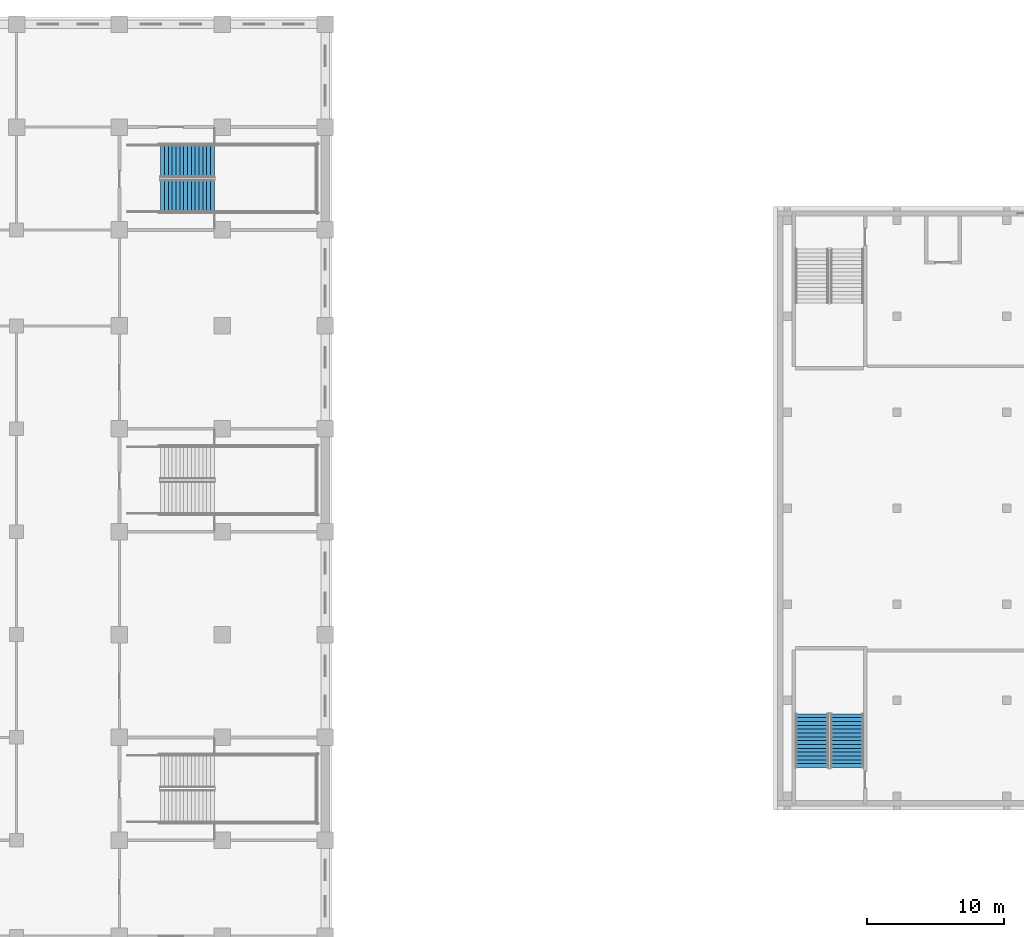
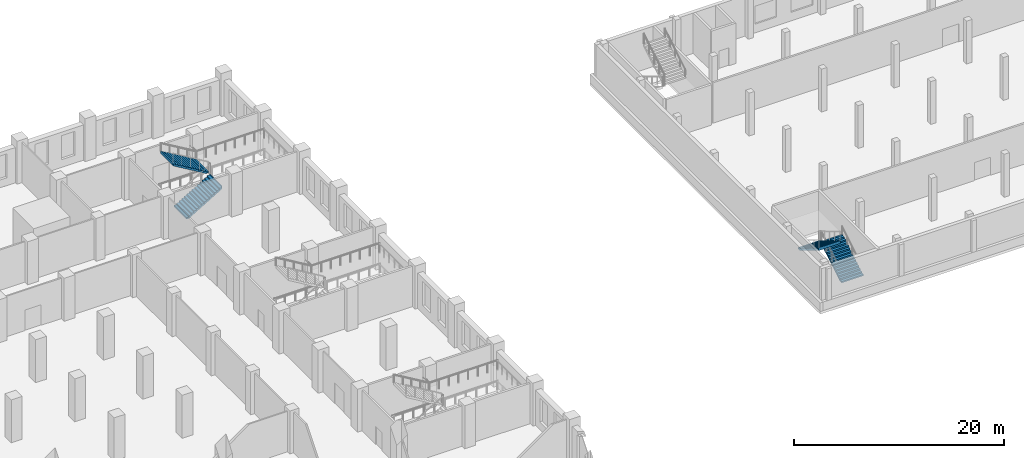
# One storey, part 18 of 32: 4 stair flights, 2 elements without a shape of their own.
"""IFC4 building model written with IfcOpenShell, lengths in metres."""

from ifc_helpers import new_model, si_unit, direction, frame, origin, place, context, subcontext, project, spatial, polyline, outline, extrude, material, type_object, element, aggregate, save


model = new_model("IFC4")

# Units and contexts
model_context = context("Model", 3, precision=1e-05, world=origin(), true_north=direction((0.0, 1.0)))
body_context = subcontext(model_context, "Body", "Model", "MODEL_VIEW")
ifc_project = project(units=[si_unit("LENGTHUNIT", "METRE"), si_unit("AREAUNIT", "SQUARE_METRE"), si_unit("VOLUMEUNIT", "CUBIC_METRE"), si_unit("PLANEANGLEUNIT", "RADIAN"), si_unit("MASSUNIT", "GRAM", prefix="KILO")], contexts=[model_context])

# Site, building, storey
site_placement = place(None, origin())
site = spatial("IfcSite", under=ifc_project, at=site_placement, CompositionType="ELEMENT")
building_placement = place(site_placement, origin())
building = spatial("IfcBuilding", under=site, at=building_placement, Name="Tamorin Gate", CompositionType="ELEMENT")
storey_placement = place(building_placement, frame((0.0, 0.0, 13.5)))
storey = spatial("IfcBuildingStorey", under=building, at=storey_placement, Name="L02", CompositionType="ELEMENT", Elevation=13.5)

# Stair, stair flights
ifc_material_1 = material(Name="Concrete C40/50", Category="concrete")
stair_type_1 = type_object("IfcStairType", Name="Museum exit stair 2400 C40/50", PredefinedType="HALF_TURN_STAIR", material=ifc_material_1)
stair_1_placement = place(storey_placement, origin())
stair_1 = element("IfcStair", 1, at=stair_1_placement, inside=storey, type_object=stair_type_1, Name="L02 PS8", PredefinedType="HALF_TURN_STAIR")
stair_flight_type_1 = type_object("IfcStairFlightType", Name="Museum exit stair flight 2400 C40/50", PredefinedType="STRAIGHT", material=ifc_material_1)
stair_flight_1_placement = place(storey_placement, frame((150.050048828125, 57.800048828125, 0.0), z_axis=(0.0, 0.0, 1.0), x_axis=(0.0, 1.0, 0.0)))
stair_flight_1 = element("IfcStairFlight", 2, at=stair_flight_1_placement, type_object=stair_flight_type_1, Name="PS8 flight 1", NumberOfRisers=15, NumberOfTreads=14, PredefinedType="STRAIGHT", RiserHeight=0.166666667, TreadLength=0.28, context=body_context, shape_type="SweptSolid", body=[
    extrude(outline(polyline([(-0.00048828125, 0.0), (-0.00048828125, 0.001708984375), (-0.00048828125, 0.00341796875), (-0.00048828125, 0.0048828125), (-0.00048828125, 0.006591796875), (-0.00048828125, 0.00830078125), (-0.00048828125, 0.010009765625), (-0.00048828125, 0.011474609375), (-0.00048828125, 0.01318359375), (-0.00048828125, 0.014892578125), (-0.00048828125, 0.0166015625), (-0.00048828125, 0.01806640625), (-0.00048828125, 0.019775390625), (-0.00048828125, 0.021484375), (-0.00048828125, 0.023193359375), (-0.00048828125, 0.024658203125), (-0.00048828125, 0.0263671875), (-0.00048828125, 0.028076171875), (-0.00048828125, 0.02978515625), (-0.00048828125, 0.03125), (-0.00048828125, 0.032958984375), (-0.00048828125, 0.03466796875), (-0.00048828125, 0.036376953125), (-0.00048828125, 0.037841796875), (-0.00048828125, 0.03955078125), (-0.00048828125, 0.041259765625), (-0.00048828125, 0.04296875), (-0.00048828125, 0.04443359375), (-0.00048828125, 0.046142578125), (-0.00048828125, 0.0478515625), (-0.00048828125, 0.049560546875), (-0.00048828125, 0.05126953125), (-0.00048828125, 0.052734375), (-0.00048828125, 0.054443359375), (-0.00048828125, 0.05615234375), (-0.00048828125, 0.057861328125), (-0.00048828125, 0.059326171875), (-0.00048828125, 0.06103515625), (-0.00048828125, 0.062744140625), (-0.00048828125, 0.064453125), (-0.00048828125, 0.06591796875), (-0.00048828125, 0.067626953125), (-0.00048828125, 0.0693359375), (-0.00048828125, 0.071044921875), (-0.00048828125, 0.072509765625), (-0.00048828125, 0.07421875), (-0.00048828125, 0.075927734375), (-0.00048828125, 0.07763671875), (-0.00048828125, 0.0791015625), (-0.00048828125, 0.080810546875), (-0.00048828125, 0.08251953125), (-0.00048828125, 0.084228515625), (-0.00048828125, 0.085693359375), (-0.00048828125, 0.08740234375), (-0.00048828125, 0.089111328125), (-0.00048828125, 0.0908203125), (-0.00048828125, 0.092529296875), (-0.00048828125, 0.093994140625), (-0.00048828125, 0.095703125), (-0.00048828125, 0.097412109375), (-0.00048828125, 0.09912109375), (-0.00048828125, 0.1005859375), (-0.00048828125, 0.102294921875), (-0.00048828125, 0.10400390625), (-0.00048828125, 0.105712890625), (-0.00048828125, 0.107177734375), (-0.00048828125, 0.10888671875), (-0.00048828125, 0.110595703125), (-0.00048828125, 0.1123046875), (-0.00048828125, 0.11376953125), (-0.00048828125, 0.115478515625), (-0.00048828125, 0.1171875), (-0.00048828125, 0.118896484375), (-0.00048828125, 0.120361328125), (-0.00048828125, 0.1220703125), (-0.00048828125, 0.123779296875), (-0.00048828125, 0.12548828125), (-0.00048828125, 0.126953125), (-0.00048828125, 0.128662109375), (-0.00048828125, 0.13037109375), (-0.00048828125, 0.132080078125), (-0.00048828125, 0.133544921875), (-0.00048828125, 0.13525390625), (-0.00048828125, 0.136962890625), (-0.00048828125, 0.138671875), (-0.00048828125, 0.140380859375), (-0.00048828125, 0.141845703125), (-0.00048828125, 0.1435546875), (-0.00048828125, 0.145263671875), (-0.00048828125, 0.14697265625), (-0.00048828125, 0.1484375), (-0.00048828125, 0.150146484375), (-0.00048828125, 0.15185546875), (-0.00048828125, 0.153564453125), (-0.00048828125, 0.155029296875), (-0.00048828125, 0.15673828125), (-0.00048828125, 0.158447265625), (-0.00048828125, 0.16015625), (-0.00048828125, 0.16162109375), (-0.00048828125, 0.163330078125), (-0.00048828125, 0.1650390625), (-0.00048828125, 0.166748046875), (0.280029296875, 0.166748046875), (0.280029296875, 0.333251953125), (0.56005859375, 0.333251953125), (0.56005859375, 0.5), (0.840087890625, 0.5), (0.840087890625, 0.666748046875), (1.1201171875, 0.666748046875), (1.1201171875, 0.833251953125), (1.39990234375, 0.833251953125), (1.39990234375, 1.0), (1.679931640625, 1.0), (1.679931640625, 1.166748046875), (1.9599609375, 1.166748046875), (1.9599609375, 1.333251953125), (2.239990234375, 1.333251953125), (2.239990234375, 1.5), (2.52001953125, 1.5), (2.52001953125, 1.666748046875), (2.800048828125, 1.666748046875), (2.800048828125, 1.833251953125), (3.080078125, 1.833251953125), (3.080078125, 2.0), (3.360107421875, 2.0), (3.360107421875, 2.166748046875), (3.639892578125, 2.166748046875), (3.639892578125, 2.333251953125), (3.919921875, 2.333251953125), (3.919921875, 2.5), (3.92041015625, 2.5), (3.92041015625, 2.49658203125), (3.92041015625, 2.4931640625), (3.92041015625, 2.48974609375), (3.92041015625, 2.486572265625), (3.92041015625, 2.483154296875), (3.92041015625, 2.479736328125), (3.92041015625, 2.476318359375), (3.92041015625, 2.472900390625), (3.92041015625, 2.469482421875), (3.92041015625, 2.46630859375), (3.92041015625, 2.462890625), (3.92041015625, 2.45947265625), (3.92041015625, 2.4560546875), (3.92041015625, 2.45263671875), (3.92041015625, 2.44921875), (3.92041015625, 2.446044921875), (3.92041015625, 2.442626953125), (3.92041015625, 2.439208984375), (3.92041015625, 2.435791015625), (3.92041015625, 2.432373046875), (3.92041015625, 2.428955078125), (3.92041015625, 2.42578125), (3.92041015625, 2.42236328125), (3.92041015625, 2.4189453125), (3.92041015625, 2.41552734375), (3.92041015625, 2.412109375), (3.92041015625, 2.40869140625), (3.92041015625, 2.405517578125), (3.92041015625, 2.402099609375), (3.92041015625, 2.398681640625), (3.92041015625, 2.395263671875), (3.92041015625, 2.391845703125), (3.92041015625, 2.388427734375), (3.92041015625, 2.38525390625), (3.92041015625, 2.3818359375), (3.92041015625, 2.37841796875), (3.92041015625, 2.375), (3.92041015625, 2.37158203125), (3.92041015625, 2.3681640625), (3.92041015625, 2.364990234375), (3.92041015625, 2.361572265625), (3.92041015625, 2.358154296875), (3.92041015625, 2.354736328125), (3.92041015625, 2.351318359375), (3.92041015625, 2.347900390625), (3.92041015625, 2.3447265625), (3.92041015625, 2.34130859375), (3.92041015625, 2.337890625), (3.92041015625, 2.33447265625), (3.92041015625, 2.3310546875), (3.92041015625, 2.32763671875), (3.92041015625, 2.324462890625), (3.92041015625, 2.321044921875), (3.92041015625, 2.317626953125), (3.92041015625, 2.314208984375), (3.92041015625, 2.310791015625), (3.92041015625, 2.307373046875), (3.92041015625, 2.30419921875), (3.92041015625, 2.30078125), (3.92041015625, 2.29736328125), (3.92041015625, 2.2939453125), (3.92041015625, 2.29052734375), (3.92041015625, 2.287109375), (3.92041015625, 2.283935546875), (3.92041015625, 2.280517578125), (3.92041015625, 2.277099609375), (3.92041015625, 2.273681640625), (3.92041015625, 2.270263671875), (3.92041015625, 2.266845703125), (3.92041015625, 2.263671875), (3.92041015625, 2.26025390625), (3.92041015625, 2.2568359375), (3.92041015625, 2.25341796875), (3.92041015625, 2.25), (3.92041015625, 2.24658203125), (3.92041015625, 2.243408203125), (3.92041015625, 2.239990234375), (3.92041015625, 2.236572265625), (3.92041015625, 2.233154296875), (3.92041015625, 2.229736328125), (3.92041015625, 2.226318359375), (3.92041015625, 2.22314453125), (3.92041015625, 2.2197265625), (3.92041015625, 2.21630859375), (3.92041015625, 2.212890625), (3.92041015625, 2.20947265625), (3.92041015625, 2.2060546875), (3.92041015625, 2.202880859375), (3.92041015625, 2.199462890625), (3.92041015625, 2.196044921875), (3.92041015625, 2.192626953125), (3.92041015625, 2.189208984375), (3.92041015625, 2.185791015625), (3.92041015625, 2.1826171875), (3.92041015625, 2.17919921875), (3.92041015625, 2.17578125), (3.92041015625, 2.17236328125), (3.92041015625, 2.1689453125), (3.92041015625, 2.16552734375), (3.92041015625, 2.162353515625), (3.92041015625, 2.158935546875), (3.919921875, 2.158935546875), (0.29296875, 0.0), (-0.00048828125, 0.0)])), frame((0.0, 1.199951171875, 0.0), z_axis=(0.0, -1.0, 0.0), x_axis=(1.0, 0.0, 0.0)), (0.0, 0.0, 1.0), 2.39990234375),
])
stair_flight_2_placement = place(storey_placement, frame((147.5, 61.719970703125, 2.5), z_axis=(0.0, 0.0, 1.0), x_axis=(0.0, -1.0, 0.0)))
stair_flight_2 = element("IfcStairFlight", 3, at=stair_flight_2_placement, type_object=stair_flight_type_1, Name="PS8 flight 2", NumberOfRisers=15, NumberOfTreads=14, PredefinedType="STRAIGHT", RiserHeight=0.166666667, TreadLength=0.28, context=body_context, shape_type="SweptSolid", body=[
    extrude(outline(polyline([(-0.00048828125, 0.0), (-0.00048828125, 0.001708984375), (-0.00048828125, 0.00341796875), (-0.00048828125, 0.0048828125), (-0.00048828125, 0.006591796875), (-0.00048828125, 0.00830078125), (-0.00048828125, 0.010009765625), (-0.00048828125, 0.011474609375), (-0.00048828125, 0.01318359375), (-0.00048828125, 0.014892578125), (-0.00048828125, 0.0166015625), (-0.00048828125, 0.01806640625), (-0.00048828125, 0.019775390625), (-0.00048828125, 0.021484375), (-0.00048828125, 0.023193359375), (-0.00048828125, 0.024658203125), (-0.00048828125, 0.0263671875), (-0.00048828125, 0.028076171875), (-0.00048828125, 0.02978515625), (-0.00048828125, 0.03125), (-0.00048828125, 0.032958984375), (-0.00048828125, 0.03466796875), (-0.00048828125, 0.036376953125), (-0.00048828125, 0.037841796875), (-0.00048828125, 0.03955078125), (-0.00048828125, 0.041259765625), (-0.00048828125, 0.04296875), (-0.00048828125, 0.04443359375), (-0.00048828125, 0.046142578125), (-0.00048828125, 0.0478515625), (-0.00048828125, 0.049560546875), (-0.00048828125, 0.05126953125), (-0.00048828125, 0.052734375), (-0.00048828125, 0.054443359375), (-0.00048828125, 0.05615234375), (-0.00048828125, 0.057861328125), (-0.00048828125, 0.059326171875), (-0.00048828125, 0.06103515625), (-0.00048828125, 0.062744140625), (-0.00048828125, 0.064453125), (-0.00048828125, 0.06591796875), (-0.00048828125, 0.067626953125), (-0.00048828125, 0.0693359375), (-0.00048828125, 0.071044921875), (-0.00048828125, 0.072509765625), (-0.00048828125, 0.07421875), (-0.00048828125, 0.075927734375), (-0.00048828125, 0.07763671875), (-0.00048828125, 0.0791015625), (-0.00048828125, 0.080810546875), (-0.00048828125, 0.08251953125), (-0.00048828125, 0.084228515625), (-0.00048828125, 0.085693359375), (-0.00048828125, 0.08740234375), (-0.00048828125, 0.089111328125), (-0.00048828125, 0.0908203125), (-0.00048828125, 0.092529296875), (-0.00048828125, 0.093994140625), (-0.00048828125, 0.095703125), (-0.00048828125, 0.097412109375), (-0.00048828125, 0.09912109375), (-0.00048828125, 0.1005859375), (-0.00048828125, 0.102294921875), (-0.00048828125, 0.10400390625), (-0.00048828125, 0.105712890625), (-0.00048828125, 0.107177734375), (-0.00048828125, 0.10888671875), (-0.00048828125, 0.110595703125), (-0.00048828125, 0.1123046875), (-0.00048828125, 0.11376953125), (-0.00048828125, 0.115478515625), (-0.00048828125, 0.1171875), (-0.00048828125, 0.118896484375), (-0.00048828125, 0.120361328125), (-0.00048828125, 0.1220703125), (-0.00048828125, 0.123779296875), (-0.00048828125, 0.12548828125), (-0.00048828125, 0.126953125), (-0.00048828125, 0.128662109375), (-0.00048828125, 0.13037109375), (-0.00048828125, 0.132080078125), (-0.00048828125, 0.133544921875), (-0.00048828125, 0.13525390625), (-0.00048828125, 0.136962890625), (-0.00048828125, 0.138671875), (-0.00048828125, 0.140380859375), (-0.00048828125, 0.141845703125), (-0.00048828125, 0.1435546875), (-0.00048828125, 0.145263671875), (-0.00048828125, 0.14697265625), (-0.00048828125, 0.1484375), (-0.00048828125, 0.150146484375), (-0.00048828125, 0.15185546875), (-0.00048828125, 0.153564453125), (-0.00048828125, 0.155029296875), (-0.00048828125, 0.15673828125), (-0.00048828125, 0.158447265625), (-0.00048828125, 0.16015625), (-0.00048828125, 0.16162109375), (-0.00048828125, 0.163330078125), (-0.00048828125, 0.1650390625), (-0.00048828125, 0.166748046875), (0.280029296875, 0.166748046875), (0.280029296875, 0.333251953125), (0.56005859375, 0.333251953125), (0.56005859375, 0.5), (0.840087890625, 0.5), (0.840087890625, 0.666748046875), (1.1201171875, 0.666748046875), (1.1201171875, 0.833251953125), (1.39990234375, 0.833251953125), (1.39990234375, 1.0), (1.679931640625, 1.0), (1.679931640625, 1.166748046875), (1.9599609375, 1.166748046875), (1.9599609375, 1.333251953125), (2.239990234375, 1.333251953125), (2.239990234375, 1.5), (2.52001953125, 1.5), (2.52001953125, 1.666748046875), (2.800048828125, 1.666748046875), (2.800048828125, 1.833251953125), (3.080078125, 1.833251953125), (3.080078125, 2.0), (3.360107421875, 2.0), (3.360107421875, 2.166748046875), (3.639892578125, 2.166748046875), (3.639892578125, 2.333251953125), (3.919921875, 2.333251953125), (3.919921875, 2.5), (3.92041015625, 2.5), (3.92041015625, 2.49658203125), (3.92041015625, 2.4931640625), (3.92041015625, 2.48974609375), (3.92041015625, 2.486572265625), (3.92041015625, 2.483154296875), (3.92041015625, 2.479736328125), (3.92041015625, 2.476318359375), (3.92041015625, 2.472900390625), (3.92041015625, 2.469482421875), (3.92041015625, 2.46630859375), (3.92041015625, 2.462890625), (3.92041015625, 2.45947265625), (3.92041015625, 2.4560546875), (3.92041015625, 2.45263671875), (3.92041015625, 2.44921875), (3.92041015625, 2.446044921875), (3.92041015625, 2.442626953125), (3.92041015625, 2.439208984375), (3.92041015625, 2.435791015625), (3.92041015625, 2.432373046875), (3.92041015625, 2.428955078125), (3.92041015625, 2.42578125), (3.92041015625, 2.42236328125), (3.92041015625, 2.4189453125), (3.92041015625, 2.41552734375), (3.92041015625, 2.412109375), (3.92041015625, 2.40869140625), (3.92041015625, 2.405517578125), (3.92041015625, 2.402099609375), (3.92041015625, 2.398681640625), (3.92041015625, 2.395263671875), (3.92041015625, 2.391845703125), (3.92041015625, 2.388427734375), (3.92041015625, 2.38525390625), (3.92041015625, 2.3818359375), (3.92041015625, 2.37841796875), (3.92041015625, 2.375), (3.92041015625, 2.37158203125), (3.92041015625, 2.3681640625), (3.92041015625, 2.364990234375), (3.92041015625, 2.361572265625), (3.92041015625, 2.358154296875), (3.92041015625, 2.354736328125), (3.92041015625, 2.351318359375), (3.92041015625, 2.347900390625), (3.92041015625, 2.3447265625), (3.92041015625, 2.34130859375), (3.92041015625, 2.337890625), (3.92041015625, 2.33447265625), (3.92041015625, 2.3310546875), (3.92041015625, 2.32763671875), (3.92041015625, 2.324462890625), (3.92041015625, 2.321044921875), (3.92041015625, 2.317626953125), (3.92041015625, 2.314208984375), (3.92041015625, 2.310791015625), (3.92041015625, 2.307373046875), (3.92041015625, 2.30419921875), (3.92041015625, 2.30078125), (3.92041015625, 2.29736328125), (3.92041015625, 2.2939453125), (3.92041015625, 2.29052734375), (3.92041015625, 2.287109375), (3.92041015625, 2.283935546875), (3.92041015625, 2.280517578125), (3.92041015625, 2.277099609375), (3.92041015625, 2.273681640625), (3.92041015625, 2.270263671875), (3.92041015625, 2.266845703125), (3.92041015625, 2.263671875), (3.92041015625, 2.26025390625), (3.92041015625, 2.2568359375), (3.92041015625, 2.25341796875), (3.92041015625, 2.25), (3.92041015625, 2.24658203125), (3.92041015625, 2.243408203125), (3.92041015625, 2.239990234375), (3.92041015625, 2.236572265625), (3.92041015625, 2.233154296875), (3.92041015625, 2.229736328125), (3.92041015625, 2.226318359375), (3.92041015625, 2.22314453125), (3.92041015625, 2.2197265625), (3.92041015625, 2.21630859375), (3.92041015625, 2.212890625), (3.92041015625, 2.20947265625), (3.92041015625, 2.2060546875), (3.92041015625, 2.202880859375), (3.92041015625, 2.199462890625), (3.92041015625, 2.196044921875), (3.92041015625, 2.192626953125), (3.92041015625, 2.189208984375), (3.92041015625, 2.185791015625), (3.92041015625, 2.1826171875), (3.92041015625, 2.17919921875), (3.92041015625, 2.17578125), (3.92041015625, 2.17236328125), (3.92041015625, 2.1689453125), (3.92041015625, 2.16552734375), (3.92041015625, 2.162353515625), (3.92041015625, 2.158935546875), (3.919921875, 2.158935546875), (0.29296875, 0.0), (-0.00048828125, 0.0)])), frame((0.0, 1.199951171875, 0.0), z_axis=(0.0, -1.0, 0.0), x_axis=(1.0, 0.0, 0.0)), (0.0, 0.0, 1.0), 2.39990234375),
])
aggregate(stair_1, [stair_flight_1, stair_flight_2])

ifc_material_2 = material(Name="Reinforced concrete C32/40", Category="concrete")
stair_type_2 = type_object("IfcStairType", Name="Podium stair PS", PredefinedType="HALF_TURN_STAIR", material=ifc_material_2)
stair_2_placement = place(storey_placement, origin())
stair_2 = element("IfcStair", 4, at=stair_2_placement, inside=storey, type_object=stair_type_2, Name="L02 Podium stair PS4", PredefinedType="HALF_TURN_STAIR")
stair_flight_type_2 = type_object("IfcStairFlightType", Name="Stair flight 2400", PredefinedType="STRAIGHT", material=ifc_material_2)
stair_flight_3_placement = place(storey_placement, frame((100.0, 99.47509765625, 0.0), z_axis=(0.0, 0.0, 1.0), x_axis=(1.0, 0.0, 0.0)))
stair_flight_3 = element("IfcStairFlight", 5, at=stair_flight_3_placement, type_object=stair_flight_type_2, Name="PS4 flight 1", NumberOfRisers=15, NumberOfTreads=14, PredefinedType="STRAIGHT", RiserHeight=0.166666667, TreadLength=0.28, context=body_context, shape_type="SweptSolid", body=[
    extrude(outline(polyline([(-0.00048828125, 0.0), (-0.00048828125, 0.001708984375), (-0.00048828125, 0.00341796875), (-0.00048828125, 0.0048828125), (-0.00048828125, 0.006591796875), (-0.00048828125, 0.00830078125), (-0.00048828125, 0.010009765625), (-0.00048828125, 0.011474609375), (-0.00048828125, 0.01318359375), (-0.00048828125, 0.014892578125), (-0.00048828125, 0.0166015625), (-0.00048828125, 0.01806640625), (-0.00048828125, 0.019775390625), (-0.00048828125, 0.021484375), (-0.00048828125, 0.023193359375), (-0.00048828125, 0.024658203125), (-0.00048828125, 0.0263671875), (-0.00048828125, 0.028076171875), (-0.00048828125, 0.02978515625), (-0.00048828125, 0.03125), (-0.00048828125, 0.032958984375), (-0.00048828125, 0.03466796875), (-0.00048828125, 0.036376953125), (-0.00048828125, 0.037841796875), (-0.00048828125, 0.03955078125), (-0.00048828125, 0.041259765625), (-0.00048828125, 0.04296875), (-0.00048828125, 0.04443359375), (-0.00048828125, 0.046142578125), (-0.00048828125, 0.0478515625), (-0.00048828125, 0.049560546875), (-0.00048828125, 0.05126953125), (-0.00048828125, 0.052734375), (-0.00048828125, 0.054443359375), (-0.00048828125, 0.05615234375), (-0.00048828125, 0.057861328125), (-0.00048828125, 0.059326171875), (-0.00048828125, 0.06103515625), (-0.00048828125, 0.062744140625), (-0.00048828125, 0.064453125), (-0.00048828125, 0.06591796875), (-0.00048828125, 0.067626953125), (-0.00048828125, 0.0693359375), (-0.00048828125, 0.071044921875), (-0.00048828125, 0.072509765625), (-0.00048828125, 0.07421875), (-0.00048828125, 0.075927734375), (-0.00048828125, 0.07763671875), (-0.00048828125, 0.0791015625), (-0.00048828125, 0.080810546875), (-0.00048828125, 0.08251953125), (-0.00048828125, 0.084228515625), (-0.00048828125, 0.085693359375), (-0.00048828125, 0.08740234375), (-0.00048828125, 0.089111328125), (-0.00048828125, 0.0908203125), (-0.00048828125, 0.092529296875), (-0.00048828125, 0.093994140625), (-0.00048828125, 0.095703125), (-0.00048828125, 0.097412109375), (-0.00048828125, 0.09912109375), (-0.00048828125, 0.1005859375), (-0.00048828125, 0.102294921875), (-0.00048828125, 0.10400390625), (-0.00048828125, 0.105712890625), (-0.00048828125, 0.107177734375), (-0.00048828125, 0.10888671875), (-0.00048828125, 0.110595703125), (-0.00048828125, 0.1123046875), (-0.00048828125, 0.11376953125), (-0.00048828125, 0.115478515625), (-0.00048828125, 0.1171875), (-0.00048828125, 0.118896484375), (-0.00048828125, 0.120361328125), (-0.00048828125, 0.1220703125), (-0.00048828125, 0.123779296875), (-0.00048828125, 0.12548828125), (-0.00048828125, 0.126953125), (-0.00048828125, 0.128662109375), (-0.00048828125, 0.13037109375), (-0.00048828125, 0.132080078125), (-0.00048828125, 0.133544921875), (-0.00048828125, 0.13525390625), (-0.00048828125, 0.136962890625), (-0.00048828125, 0.138671875), (-0.00048828125, 0.140380859375), (-0.00048828125, 0.141845703125), (-0.00048828125, 0.1435546875), (-0.00048828125, 0.145263671875), (-0.00048828125, 0.14697265625), (-0.00048828125, 0.1484375), (-0.00048828125, 0.150146484375), (-0.00048828125, 0.15185546875), (-0.00048828125, 0.153564453125), (-0.00048828125, 0.155029296875), (-0.00048828125, 0.15673828125), (-0.00048828125, 0.158447265625), (-0.00048828125, 0.16015625), (-0.00048828125, 0.16162109375), (-0.00048828125, 0.163330078125), (-0.00048828125, 0.1650390625), (-0.00048828125, 0.166748046875), (0.280029296875, 0.166748046875), (0.280029296875, 0.333251953125), (0.56005859375, 0.333251953125), (0.56005859375, 0.5), (0.840087890625, 0.5), (0.840087890625, 0.666748046875), (1.1201171875, 0.666748046875), (1.1201171875, 0.833251953125), (1.39990234375, 0.833251953125), (1.39990234375, 1.0), (1.679931640625, 1.0), (1.679931640625, 1.166748046875), (1.9599609375, 1.166748046875), (1.9599609375, 1.333251953125), (2.239990234375, 1.333251953125), (2.239990234375, 1.5), (2.52001953125, 1.5), (2.52001953125, 1.666748046875), (2.800048828125, 1.666748046875), (2.800048828125, 1.833251953125), (3.080078125, 1.833251953125), (3.080078125, 2.0), (3.360107421875, 2.0), (3.360107421875, 2.166748046875), (3.639892578125, 2.166748046875), (3.639892578125, 2.333251953125), (3.919921875, 2.333251953125), (3.919921875, 2.5), (3.92041015625, 2.5), (3.92041015625, 2.49658203125), (3.92041015625, 2.4931640625), (3.92041015625, 2.48974609375), (3.92041015625, 2.486572265625), (3.92041015625, 2.483154296875), (3.92041015625, 2.479736328125), (3.92041015625, 2.476318359375), (3.92041015625, 2.472900390625), (3.92041015625, 2.469482421875), (3.92041015625, 2.46630859375), (3.92041015625, 2.462890625), (3.92041015625, 2.45947265625), (3.92041015625, 2.4560546875), (3.92041015625, 2.45263671875), (3.92041015625, 2.44921875), (3.92041015625, 2.446044921875), (3.92041015625, 2.442626953125), (3.92041015625, 2.439208984375), (3.92041015625, 2.435791015625), (3.92041015625, 2.432373046875), (3.92041015625, 2.428955078125), (3.92041015625, 2.42578125), (3.92041015625, 2.42236328125), (3.92041015625, 2.4189453125), (3.92041015625, 2.41552734375), (3.92041015625, 2.412109375), (3.92041015625, 2.40869140625), (3.92041015625, 2.405517578125), (3.92041015625, 2.402099609375), (3.92041015625, 2.398681640625), (3.92041015625, 2.395263671875), (3.92041015625, 2.391845703125), (3.92041015625, 2.388427734375), (3.92041015625, 2.38525390625), (3.92041015625, 2.3818359375), (3.92041015625, 2.37841796875), (3.92041015625, 2.375), (3.92041015625, 2.37158203125), (3.92041015625, 2.3681640625), (3.92041015625, 2.364990234375), (3.92041015625, 2.361572265625), (3.92041015625, 2.358154296875), (3.92041015625, 2.354736328125), (3.92041015625, 2.351318359375), (3.92041015625, 2.347900390625), (3.92041015625, 2.3447265625), (3.92041015625, 2.34130859375), (3.92041015625, 2.337890625), (3.92041015625, 2.33447265625), (3.92041015625, 2.3310546875), (3.92041015625, 2.32763671875), (3.92041015625, 2.324462890625), (3.92041015625, 2.321044921875), (3.92041015625, 2.317626953125), (3.92041015625, 2.314208984375), (3.92041015625, 2.310791015625), (3.92041015625, 2.307373046875), (3.92041015625, 2.30419921875), (3.92041015625, 2.30078125), (3.92041015625, 2.29736328125), (3.92041015625, 2.2939453125), (3.92041015625, 2.29052734375), (3.92041015625, 2.287109375), (3.92041015625, 2.283935546875), (3.92041015625, 2.280517578125), (3.92041015625, 2.277099609375), (3.92041015625, 2.273681640625), (3.92041015625, 2.270263671875), (3.92041015625, 2.266845703125), (3.92041015625, 2.263671875), (3.92041015625, 2.26025390625), (3.92041015625, 2.2568359375), (3.92041015625, 2.25341796875), (3.92041015625, 2.25), (3.92041015625, 2.24658203125), (3.92041015625, 2.243408203125), (3.92041015625, 2.239990234375), (3.92041015625, 2.236572265625), (3.92041015625, 2.233154296875), (3.92041015625, 2.229736328125), (3.92041015625, 2.226318359375), (3.92041015625, 2.22314453125), (3.92041015625, 2.2197265625), (3.92041015625, 2.21630859375), (3.92041015625, 2.212890625), (3.92041015625, 2.20947265625), (3.92041015625, 2.2060546875), (3.92041015625, 2.202880859375), (3.92041015625, 2.199462890625), (3.92041015625, 2.196044921875), (3.92041015625, 2.192626953125), (3.92041015625, 2.189208984375), (3.92041015625, 2.185791015625), (3.92041015625, 2.1826171875), (3.92041015625, 2.17919921875), (3.92041015625, 2.17578125), (3.92041015625, 2.17236328125), (3.92041015625, 2.1689453125), (3.92041015625, 2.16552734375), (3.92041015625, 2.162353515625), (3.92041015625, 2.158935546875), (3.919921875, 2.158935546875), (0.29296875, 0.0), (-0.00048828125, 0.0)])), frame((0.0, 1.199951171875, 0.0), z_axis=(0.0, -1.0, 0.0), x_axis=(1.0, 0.0, 0.0)), (0.0, 0.0, 1.0), 2.39990234375),
])
stair_flight_4_placement = place(storey_placement, frame((103.919921875, 102.02490234375, 2.5), z_axis=(0.0, 0.0, 1.0), x_axis=(-1.0, 0.0, 0.0)))
stair_flight_4 = element("IfcStairFlight", 6, at=stair_flight_4_placement, type_object=stair_flight_type_2, Name="PS4 flight 2", NumberOfRisers=15, NumberOfTreads=14, PredefinedType="STRAIGHT", RiserHeight=0.166666667, TreadLength=0.28, context=body_context, shape_type="SweptSolid", body=[
    extrude(outline(polyline([(-0.00048828125, 0.0), (-0.00048828125, 0.001708984375), (-0.00048828125, 0.00341796875), (-0.00048828125, 0.0048828125), (-0.00048828125, 0.006591796875), (-0.00048828125, 0.00830078125), (-0.00048828125, 0.010009765625), (-0.00048828125, 0.011474609375), (-0.00048828125, 0.01318359375), (-0.00048828125, 0.014892578125), (-0.00048828125, 0.0166015625), (-0.00048828125, 0.01806640625), (-0.00048828125, 0.019775390625), (-0.00048828125, 0.021484375), (-0.00048828125, 0.023193359375), (-0.00048828125, 0.024658203125), (-0.00048828125, 0.0263671875), (-0.00048828125, 0.028076171875), (-0.00048828125, 0.02978515625), (-0.00048828125, 0.03125), (-0.00048828125, 0.032958984375), (-0.00048828125, 0.03466796875), (-0.00048828125, 0.036376953125), (-0.00048828125, 0.037841796875), (-0.00048828125, 0.03955078125), (-0.00048828125, 0.041259765625), (-0.00048828125, 0.04296875), (-0.00048828125, 0.04443359375), (-0.00048828125, 0.046142578125), (-0.00048828125, 0.0478515625), (-0.00048828125, 0.049560546875), (-0.00048828125, 0.05126953125), (-0.00048828125, 0.052734375), (-0.00048828125, 0.054443359375), (-0.00048828125, 0.05615234375), (-0.00048828125, 0.057861328125), (-0.00048828125, 0.059326171875), (-0.00048828125, 0.06103515625), (-0.00048828125, 0.062744140625), (-0.00048828125, 0.064453125), (-0.00048828125, 0.06591796875), (-0.00048828125, 0.067626953125), (-0.00048828125, 0.0693359375), (-0.00048828125, 0.071044921875), (-0.00048828125, 0.072509765625), (-0.00048828125, 0.07421875), (-0.00048828125, 0.075927734375), (-0.00048828125, 0.07763671875), (-0.00048828125, 0.0791015625), (-0.00048828125, 0.080810546875), (-0.00048828125, 0.08251953125), (-0.00048828125, 0.084228515625), (-0.00048828125, 0.085693359375), (-0.00048828125, 0.08740234375), (-0.00048828125, 0.089111328125), (-0.00048828125, 0.0908203125), (-0.00048828125, 0.092529296875), (-0.00048828125, 0.093994140625), (-0.00048828125, 0.095703125), (-0.00048828125, 0.097412109375), (-0.00048828125, 0.09912109375), (-0.00048828125, 0.1005859375), (-0.00048828125, 0.102294921875), (-0.00048828125, 0.10400390625), (-0.00048828125, 0.105712890625), (-0.00048828125, 0.107177734375), (-0.00048828125, 0.10888671875), (-0.00048828125, 0.110595703125), (-0.00048828125, 0.1123046875), (-0.00048828125, 0.11376953125), (-0.00048828125, 0.115478515625), (-0.00048828125, 0.1171875), (-0.00048828125, 0.118896484375), (-0.00048828125, 0.120361328125), (-0.00048828125, 0.1220703125), (-0.00048828125, 0.123779296875), (-0.00048828125, 0.12548828125), (-0.00048828125, 0.126953125), (-0.00048828125, 0.128662109375), (-0.00048828125, 0.13037109375), (-0.00048828125, 0.132080078125), (-0.00048828125, 0.133544921875), (-0.00048828125, 0.13525390625), (-0.00048828125, 0.136962890625), (-0.00048828125, 0.138671875), (-0.00048828125, 0.140380859375), (-0.00048828125, 0.141845703125), (-0.00048828125, 0.1435546875), (-0.00048828125, 0.145263671875), (-0.00048828125, 0.14697265625), (-0.00048828125, 0.1484375), (-0.00048828125, 0.150146484375), (-0.00048828125, 0.15185546875), (-0.00048828125, 0.153564453125), (-0.00048828125, 0.155029296875), (-0.00048828125, 0.15673828125), (-0.00048828125, 0.158447265625), (-0.00048828125, 0.16015625), (-0.00048828125, 0.16162109375), (-0.00048828125, 0.163330078125), (-0.00048828125, 0.1650390625), (-0.00048828125, 0.166748046875), (0.280029296875, 0.166748046875), (0.280029296875, 0.333251953125), (0.56005859375, 0.333251953125), (0.56005859375, 0.5), (0.840087890625, 0.5), (0.840087890625, 0.666748046875), (1.1201171875, 0.666748046875), (1.1201171875, 0.833251953125), (1.39990234375, 0.833251953125), (1.39990234375, 1.0), (1.679931640625, 1.0), (1.679931640625, 1.166748046875), (1.9599609375, 1.166748046875), (1.9599609375, 1.333251953125), (2.239990234375, 1.333251953125), (2.239990234375, 1.5), (2.52001953125, 1.5), (2.52001953125, 1.666748046875), (2.800048828125, 1.666748046875), (2.800048828125, 1.833251953125), (3.080078125, 1.833251953125), (3.080078125, 2.0), (3.360107421875, 2.0), (3.360107421875, 2.166748046875), (3.639892578125, 2.166748046875), (3.639892578125, 2.333251953125), (3.919921875, 2.333251953125), (3.919921875, 2.5), (3.92041015625, 2.5), (3.92041015625, 2.49658203125), (3.92041015625, 2.4931640625), (3.92041015625, 2.48974609375), (3.92041015625, 2.486572265625), (3.92041015625, 2.483154296875), (3.92041015625, 2.479736328125), (3.92041015625, 2.476318359375), (3.92041015625, 2.472900390625), (3.92041015625, 2.469482421875), (3.92041015625, 2.46630859375), (3.92041015625, 2.462890625), (3.92041015625, 2.45947265625), (3.92041015625, 2.4560546875), (3.92041015625, 2.45263671875), (3.92041015625, 2.44921875), (3.92041015625, 2.446044921875), (3.92041015625, 2.442626953125), (3.92041015625, 2.439208984375), (3.92041015625, 2.435791015625), (3.92041015625, 2.432373046875), (3.92041015625, 2.428955078125), (3.92041015625, 2.42578125), (3.92041015625, 2.42236328125), (3.92041015625, 2.4189453125), (3.92041015625, 2.41552734375), (3.92041015625, 2.412109375), (3.92041015625, 2.40869140625), (3.92041015625, 2.405517578125), (3.92041015625, 2.402099609375), (3.92041015625, 2.398681640625), (3.92041015625, 2.395263671875), (3.92041015625, 2.391845703125), (3.92041015625, 2.388427734375), (3.92041015625, 2.38525390625), (3.92041015625, 2.3818359375), (3.92041015625, 2.37841796875), (3.92041015625, 2.375), (3.92041015625, 2.37158203125), (3.92041015625, 2.3681640625), (3.92041015625, 2.364990234375), (3.92041015625, 2.361572265625), (3.92041015625, 2.358154296875), (3.92041015625, 2.354736328125), (3.92041015625, 2.351318359375), (3.92041015625, 2.347900390625), (3.92041015625, 2.3447265625), (3.92041015625, 2.34130859375), (3.92041015625, 2.337890625), (3.92041015625, 2.33447265625), (3.92041015625, 2.3310546875), (3.92041015625, 2.32763671875), (3.92041015625, 2.324462890625), (3.92041015625, 2.321044921875), (3.92041015625, 2.317626953125), (3.92041015625, 2.314208984375), (3.92041015625, 2.310791015625), (3.92041015625, 2.307373046875), (3.92041015625, 2.30419921875), (3.92041015625, 2.30078125), (3.92041015625, 2.29736328125), (3.92041015625, 2.2939453125), (3.92041015625, 2.29052734375), (3.92041015625, 2.287109375), (3.92041015625, 2.283935546875), (3.92041015625, 2.280517578125), (3.92041015625, 2.277099609375), (3.92041015625, 2.273681640625), (3.92041015625, 2.270263671875), (3.92041015625, 2.266845703125), (3.92041015625, 2.263671875), (3.92041015625, 2.26025390625), (3.92041015625, 2.2568359375), (3.92041015625, 2.25341796875), (3.92041015625, 2.25), (3.92041015625, 2.24658203125), (3.92041015625, 2.243408203125), (3.92041015625, 2.239990234375), (3.92041015625, 2.236572265625), (3.92041015625, 2.233154296875), (3.92041015625, 2.229736328125), (3.92041015625, 2.226318359375), (3.92041015625, 2.22314453125), (3.92041015625, 2.2197265625), (3.92041015625, 2.21630859375), (3.92041015625, 2.212890625), (3.92041015625, 2.20947265625), (3.92041015625, 2.2060546875), (3.92041015625, 2.202880859375), (3.92041015625, 2.199462890625), (3.92041015625, 2.196044921875), (3.92041015625, 2.192626953125), (3.92041015625, 2.189208984375), (3.92041015625, 2.185791015625), (3.92041015625, 2.1826171875), (3.92041015625, 2.17919921875), (3.92041015625, 2.17578125), (3.92041015625, 2.17236328125), (3.92041015625, 2.1689453125), (3.92041015625, 2.16552734375), (3.92041015625, 2.162353515625), (3.92041015625, 2.158935546875), (3.919921875, 2.158935546875), (0.29296875, 0.0), (-0.00048828125, 0.0)])), frame((0.0, 1.199951171875, 0.0), z_axis=(0.0, -1.0, 0.0), x_axis=(1.0, 0.0, 0.0)), (0.0, 0.0, 1.0), 2.39990234375),
])
aggregate(stair_2, [stair_flight_3, stair_flight_4])

save(model, "model.ifc")
